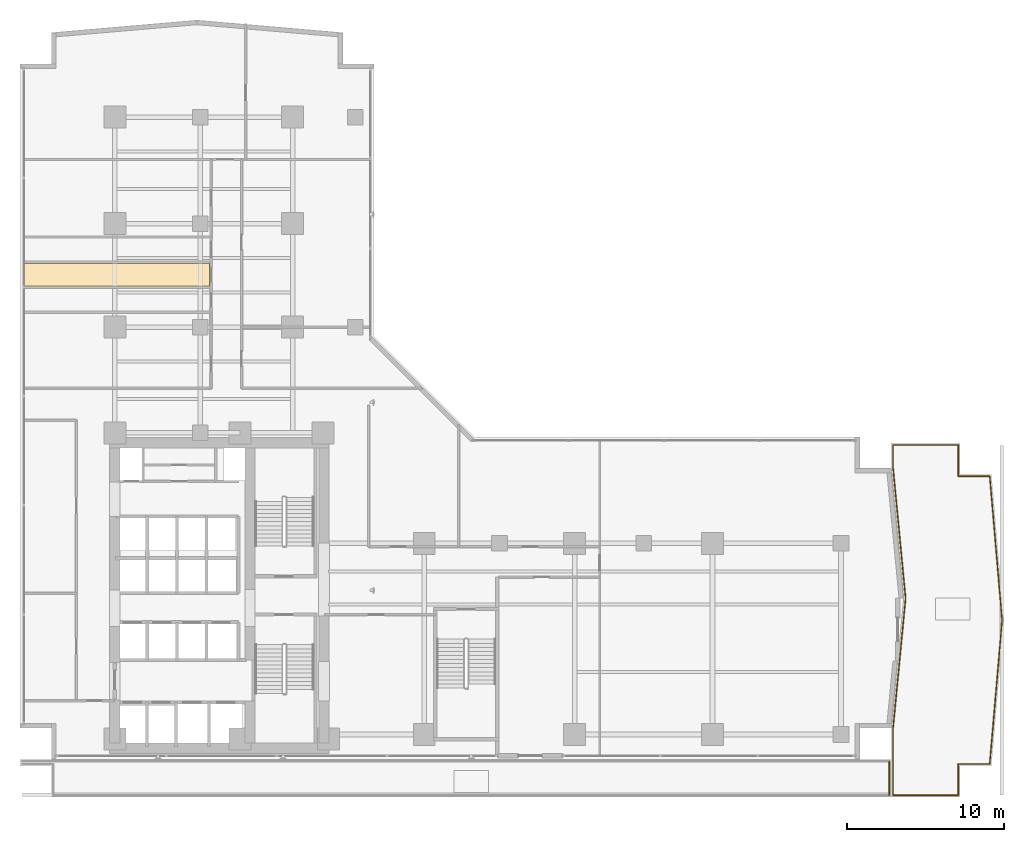
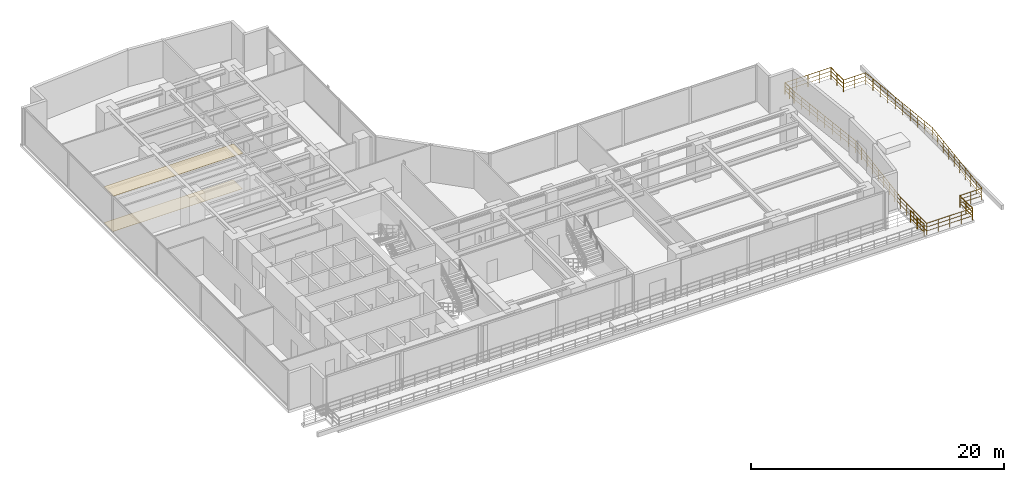
# One storey, part 25 of 26: 13 railings, 2 coverings.
"""IFC4 building model written with IfcOpenShell, lengths in metres."""

from ifc_helpers import new_model, si_unit, direction, frame, origin, origin_2d, place, context, subcontext, project, spatial, polyline, circle, outline, extrude, material, layer, layer_set, type_object, element, save


model = new_model("IFC4")

# Units and contexts
model_context = context("Model", 3, precision=1e-05, world=origin(), true_north=direction((0.0, 1.0)))
body_context = subcontext(model_context, "Body", "Model", "MODEL_VIEW")
ifc_project = project(units=[si_unit("LENGTHUNIT", "METRE"), si_unit("AREAUNIT", "SQUARE_METRE"), si_unit("VOLUMEUNIT", "CUBIC_METRE"), si_unit("PLANEANGLEUNIT", "RADIAN"), si_unit("MASSUNIT", "GRAM", prefix="KILO")], contexts=[model_context])

# Site, building, storey
site_placement = place(None, origin())
site = spatial("IfcSite", under=ifc_project, at=site_placement, CompositionType="ELEMENT")
building_placement = place(site_placement, origin())
building = spatial("IfcBuilding", under=site, at=building_placement, Name="Kolvaren Waterfront Exchange", CompositionType="ELEMENT")
storey_placement = place(building_placement, frame((0.0, 0.0, 87.89990234375)))
storey = spatial("IfcBuildingStorey", under=building, at=storey_placement, Name="L22", CompositionType="ELEMENT", Elevation=87.89990234375)

# Coverings
ifc_material_1 = material(Name="Mineral fibre acoustic ceiling tile")
ifc_layer_1 = layer(ifc_material_1, 0.02490234375, Name="Mineral fibre acoustic ceiling tile")
ifc_layer_set_1 = layer_set([ifc_layer_1], Name="Mineral fibre acoustic ceiling tile")
covering_type_1 = type_object("IfcCoveringType", Name="ARC-CEIL-ACOUSTIC-25", PredefinedType="CEILING", material=ifc_layer_set_1)
covering_1_placement = place(storey_placement, frame((0.0, 0.0, 3.425048828125)))
element("IfcCovering", 1, at=covering_1_placement, inside=storey, type_object=covering_type_1, Name="L22 acoustic suspended ceiling 3", PredefinedType="CEILING", context=body_context, shape_type="SweptSolid", body=[
    extrude(outline(polyline([(13.534912109375, 33.794921875), (13.534912109375, 35.304931640625), (1.6650390625, 35.304931640625), (1.6650390625, 33.794921875), (13.534912109375, 33.794921875)])), origin(), (0.0, 0.0, 1.0), 0.025146484375),
])
ifc_material_2 = material(Name="Slip-resistant porcelain tile")
ifc_layer_2 = layer(ifc_material_2, 0.014892578125, Name="Slip-resistant porcelain tile")
ifc_layer_set_2 = layer_set([ifc_layer_2], Name="Slip-resistant porcelain tile")
covering_type_2 = type_object("IfcCoveringType", Name="ARC-FLR-PORC-15", PredefinedType="FLOORING", material=ifc_layer_set_2)
covering_2_placement = place(storey_placement, origin())
element("IfcCovering", 2, at=covering_2_placement, inside=storey, type_object=covering_type_2, Name="L22 floor finish 3", PredefinedType="FLOORING", context=body_context, shape_type="SweptSolid", body=[
    extrude(outline(polyline([(1.699951171875, 35.27001953125), (1.699951171875, 33.830078125), (13.5, 33.830078125), (13.5, 35.27001953125), (1.699951171875, 35.27001953125)])), origin(), (0.0, 0.0, 1.0), 0.01513671875),
])

# Railings
ifc_material_3 = material(Name="Anodised bronze aluminium 6063-T6", Category="aluminium")
railing_type = type_object("IfcRailingType", Name="ARC-GUARD-EXT", PredefinedType="GUARDRAIL", material=ifc_material_3)
railing_1_placement = place(storey_placement, frame((57.110107421875, 5.490478515625, 0.0)))
element("IfcRailing", 3, at=railing_1_placement, inside=storey, type_object=railing_type, Name="L22 sky-garden perimeter balustrade 1", PredefinedType="GUARDRAIL", context=body_context, shape_type="SweptSolid", body=[
    extrude(circle(Radius=0.02392578125, at=origin_2d()), frame((0.0, 0.0, 1.1259765625), z_axis=(0.095940918586, 0.995387030326, 0.0), x_axis=(-0.995387030326, 0.095940918586, 0.0)), (0.0, 0.0, 1.0), 8.448486328125),
    extrude(circle(Radius=0.01611328125, at=origin_2d()), frame((0.0, 0.0, 0.390869140625), z_axis=(0.095940918586, 0.995387030326, 0.0), x_axis=(-0.995387030326, 0.095940918586, 0.0)), (0.0, 0.0, 1.0), 8.448486328125),
    extrude(circle(Radius=0.01611328125, at=origin_2d()), frame((0.0, 0.0, 0.7705078125), z_axis=(0.095940918586, 0.995387030326, 0.0), x_axis=(-0.995387030326, 0.095940918586, 0.0)), (0.0, 0.0, 1.0), 8.448486328125),
    extrude(circle(Radius=0.02099609375, at=origin_2d()), origin(), (0.0, 0.0, 1.0), 1.101806640625),
    extrude(circle(Radius=0.02099609375, at=origin_2d()), frame((0.101318359375, 1.05126953125, 0.0)), (0.0, 0.0, 1.0), 1.101806640625),
    extrude(circle(Radius=0.02099609375, at=origin_2d()), frame((0.20263671875, 2.102294921875, 0.0)), (0.0, 0.0, 1.0), 1.101806640625),
    extrude(circle(Radius=0.02099609375, at=origin_2d()), frame((0.303955078125, 3.153564453125, 0.0)), (0.0, 0.0, 1.0), 1.101806640625),
    extrude(circle(Radius=0.02099609375, at=origin_2d()), frame((0.4052734375, 4.20458984375, 0.0)), (0.0, 0.0, 1.0), 1.101806640625),
    extrude(circle(Radius=0.02099609375, at=origin_2d()), frame((0.506591796875, 5.255859375, 0.0)), (0.0, 0.0, 1.0), 1.101806640625),
    extrude(circle(Radius=0.02099609375, at=origin_2d()), frame((0.60791015625, 6.30712890625, 0.0)), (0.0, 0.0, 1.0), 1.101806640625),
    extrude(circle(Radius=0.02099609375, at=origin_2d()), frame((0.709228515625, 7.358154296875, 0.0)), (0.0, 0.0, 1.0), 1.101806640625),
    extrude(circle(Radius=0.02099609375, at=origin_2d()), frame((0.810546875, 8.409423828125, 0.0)), (0.0, 0.0, 1.0), 1.101806640625),
])
railing_2_placement = place(storey_placement, frame((57.920654296875, 13.89990234375, 0.0)))
element("IfcRailing", 4, at=railing_2_placement, inside=storey, type_object=railing_type, Name="L22 sky-garden perimeter balustrade 1", PredefinedType="GUARDRAIL", context=body_context, shape_type="SweptSolid", body=[
    extrude(circle(Radius=0.02392578125, at=origin_2d()), frame((0.0, 0.0, 1.1259765625), z_axis=(-0.095938158966, 0.995387296309, 0.0), x_axis=(-0.995387296309, -0.095938158966, 0.0)), (0.0, 0.0, 1.0), 8.44873046875),
    extrude(circle(Radius=0.01611328125, at=origin_2d()), frame((0.0, 0.0, 0.390869140625), z_axis=(-0.095938158966, 0.995387296309, 0.0), x_axis=(-0.995387296309, -0.095938158966, 0.0)), (0.0, 0.0, 1.0), 8.44873046875),
    extrude(circle(Radius=0.01611328125, at=origin_2d()), frame((0.0, 0.0, 0.7705078125), z_axis=(-0.095938158966, 0.995387296309, 0.0), x_axis=(-0.995387296309, -0.095938158966, 0.0)), (0.0, 0.0, 1.0), 8.44873046875),
    extrude(circle(Radius=0.02099609375, at=origin_2d()), origin(), (0.0, 0.0, 1.0), 1.101806640625),
    extrude(circle(Radius=0.02099609375, at=origin_2d()), frame((-0.101318359375, 1.05126953125, 0.0)), (0.0, 0.0, 1.0), 1.101806640625),
    extrude(circle(Radius=0.02099609375, at=origin_2d()), frame((-0.20263671875, 2.1025390625, 0.0)), (0.0, 0.0, 1.0), 1.101806640625),
    extrude(circle(Radius=0.02099609375, at=origin_2d()), frame((-0.303955078125, 3.153564453125, 0.0)), (0.0, 0.0, 1.0), 1.101806640625),
    extrude(circle(Radius=0.02099609375, at=origin_2d()), frame((-0.4052734375, 4.204833984375, 0.0)), (0.0, 0.0, 1.0), 1.101806640625),
    extrude(circle(Radius=0.02099609375, at=origin_2d()), frame((-0.506591796875, 5.256103515625, 0.0)), (0.0, 0.0, 1.0), 1.101806640625),
    extrude(circle(Radius=0.02099609375, at=origin_2d()), frame((-0.60791015625, 6.30712890625, 0.0)), (0.0, 0.0, 1.0), 1.101806640625),
    extrude(circle(Radius=0.02099609375, at=origin_2d()), frame((-0.709228515625, 7.3583984375, 0.0)), (0.0, 0.0, 1.0), 1.101806640625),
    extrude(circle(Radius=0.02099609375, at=origin_2d()), frame((-0.810546875, 8.40966796875, 0.0)), (0.0, 0.0, 1.0), 1.101806640625),
])
railing_3_placement = place(storey_placement, frame((57.110107421875, 22.3095703125, 0.0)))
element("IfcRailing", 5, at=railing_3_placement, inside=storey, type_object=railing_type, Name="L22 sky-garden perimeter balustrade 1", PredefinedType="GUARDRAIL", context=body_context, shape_type="SweptSolid", body=[
    extrude(circle(Radius=0.02392578125, at=origin_2d()), frame((0.0, 0.0, 1.1259765625), z_axis=(0.0, 1.0, 0.0), x_axis=(-1.0, 0.0, 0.0)), (0.0, 0.0, 1.0), 1.370361328125),
    extrude(circle(Radius=0.01611328125, at=origin_2d()), frame((0.0, 0.0, 0.390869140625), z_axis=(0.0, 1.0, 0.0), x_axis=(-1.0, 0.0, 0.0)), (0.0, 0.0, 1.0), 1.370361328125),
    extrude(circle(Radius=0.01611328125, at=origin_2d()), frame((0.0, 0.0, 0.7705078125), z_axis=(0.0, 1.0, 0.0), x_axis=(-1.0, 0.0, 0.0)), (0.0, 0.0, 1.0), 1.370361328125),
    extrude(circle(Radius=0.02099609375, at=origin_2d()), origin(), (0.0, 0.0, 1.0), 1.101806640625),
    extrude(circle(Radius=0.02099609375, at=origin_2d()), frame((0.0, 0.68505859375, 0.0)), (0.0, 0.0, 1.0), 1.101806640625),
    extrude(circle(Radius=0.02099609375, at=origin_2d()), frame((0.0, 1.370361328125, 0.0)), (0.0, 0.0, 1.0), 1.101806640625),
])
railing_4_placement = place(storey_placement, frame((57.110107421875, 23.679931640625, 0.0)))
element("IfcRailing", 6, at=railing_4_placement, inside=storey, type_object=railing_type, Name="L22 sky-garden perimeter balustrade 1", PredefinedType="GUARDRAIL", context=body_context, shape_type="SweptSolid", body=[
    extrude(circle(Radius=0.02392578125, at=origin_2d()), frame((0.0, 0.0, 1.1259765625), z_axis=(1.0, 0.0, 0.0), x_axis=(0.0, 1.0, 0.0)), (0.0, 0.0, 1.0), 4.169921875),
    extrude(circle(Radius=0.01611328125, at=origin_2d()), frame((0.0, 0.0, 0.390869140625), z_axis=(1.0, 0.0, 0.0), x_axis=(0.0, 1.0, 0.0)), (0.0, 0.0, 1.0), 4.169921875),
    extrude(circle(Radius=0.01611328125, at=origin_2d()), frame((0.0, 0.0, 0.7705078125), z_axis=(1.0, 0.0, 0.0), x_axis=(0.0, 1.0, 0.0)), (0.0, 0.0, 1.0), 4.169921875),
    extrude(circle(Radius=0.02099609375, at=origin_2d()), origin(), (0.0, 0.0, 1.0), 1.101806640625),
    extrude(circle(Radius=0.02099609375, at=origin_2d()), frame((1.04248046875, 0.0, 0.0)), (0.0, 0.0, 1.0), 1.101806640625),
    extrude(circle(Radius=0.02099609375, at=origin_2d()), frame((2.0849609375, 0.0, 0.0)), (0.0, 0.0, 1.0), 1.101806640625),
    extrude(circle(Radius=0.02099609375, at=origin_2d()), frame((3.12744140625, 0.0, 0.0)), (0.0, 0.0, 1.0), 1.101806640625),
    extrude(circle(Radius=0.02099609375, at=origin_2d()), frame((4.169921875, 0.0, 0.0)), (0.0, 0.0, 1.0), 1.101806640625),
])
railing_5_placement = place(storey_placement, frame((61.280029296875, 23.679931640625, 0.0)))
element("IfcRailing", 7, at=railing_5_placement, inside=storey, type_object=railing_type, Name="L22 sky-garden perimeter balustrade 1", PredefinedType="GUARDRAIL", context=body_context, shape_type="SweptSolid", body=[
    extrude(circle(Radius=0.02392578125, at=origin_2d()), frame((0.0, 0.0, 1.1259765625), z_axis=(0.0, -1.0, 0.0), x_axis=(1.0, 0.0, 0.0)), (0.0, 0.0, 1.0), 2.0),
    extrude(circle(Radius=0.01611328125, at=origin_2d()), frame((0.0, 0.0, 0.390869140625), z_axis=(0.0, -1.0, 0.0), x_axis=(1.0, 0.0, 0.0)), (0.0, 0.0, 1.0), 2.0),
    extrude(circle(Radius=0.01611328125, at=origin_2d()), frame((0.0, 0.0, 0.7705078125), z_axis=(0.0, -1.0, 0.0), x_axis=(1.0, 0.0, 0.0)), (0.0, 0.0, 1.0), 2.0),
    extrude(circle(Radius=0.02099609375, at=origin_2d()), origin(), (0.0, 0.0, 1.0), 1.101806640625),
    extrude(circle(Radius=0.02099609375, at=origin_2d()), frame((0.0, -1.0, 0.0)), (0.0, 0.0, 1.0), 1.101806640625),
    extrude(circle(Radius=0.02099609375, at=origin_2d()), frame((0.0, -2.0, 0.0)), (0.0, 0.0, 1.0), 1.101806640625),
])
railing_6_placement = place(storey_placement, frame((61.280029296875, 21.679931640625, 0.0)))
element("IfcRailing", 8, at=railing_6_placement, inside=storey, type_object=railing_type, Name="L22 sky-garden perimeter balustrade 1", PredefinedType="GUARDRAIL", context=body_context, shape_type="SweptSolid", body=[
    extrude(circle(Radius=0.02392578125, at=origin_2d()), frame((0.0, 0.0, 1.1259765625), z_axis=(1.0, 0.0, 0.0), x_axis=(0.0, 1.0, 0.0)), (0.0, 0.0, 1.0), 2.009765625),
    extrude(circle(Radius=0.01611328125, at=origin_2d()), frame((0.0, 0.0, 0.390869140625), z_axis=(1.0, 0.0, 0.0), x_axis=(0.0, 1.0, 0.0)), (0.0, 0.0, 1.0), 2.009765625),
    extrude(circle(Radius=0.01611328125, at=origin_2d()), frame((0.0, 0.0, 0.7705078125), z_axis=(1.0, 0.0, 0.0), x_axis=(0.0, 1.0, 0.0)), (0.0, 0.0, 1.0), 2.009765625),
    extrude(circle(Radius=0.02099609375, at=origin_2d()), origin(), (0.0, 0.0, 1.0), 1.101806640625),
    extrude(circle(Radius=0.02099609375, at=origin_2d()), frame((1.0048828125, 0.0, 0.0)), (0.0, 0.0, 1.0), 1.101806640625),
    extrude(circle(Radius=0.02099609375, at=origin_2d()), frame((2.009765625, 0.0, 0.0)), (0.0, 0.0, 1.0), 1.101806640625),
])
railing_7_placement = place(storey_placement, frame((63.289794921875, 21.679931640625, 0.0)))
element("IfcRailing", 9, at=railing_7_placement, inside=storey, type_object=railing_type, Name="L22 sky-garden perimeter balustrade 1", PredefinedType="GUARDRAIL", context=body_context, shape_type="SweptSolid", body=[
    extrude(circle(Radius=0.02392578125, at=origin_2d()), frame((0.0, 0.0, 1.1259765625), z_axis=(0.085718286887, -0.996319414291, 0.0), x_axis=(0.996319414291, 0.085718286887, 0.0)), (0.0, 0.0, 1.0), 9.2138671875),
    extrude(circle(Radius=0.01611328125, at=origin_2d()), frame((0.0, 0.0, 0.390869140625), z_axis=(0.085718286887, -0.996319414291, 0.0), x_axis=(0.996319414291, 0.085718286887, 0.0)), (0.0, 0.0, 1.0), 9.2138671875),
    extrude(circle(Radius=0.01611328125, at=origin_2d()), frame((0.0, 0.0, 0.7705078125), z_axis=(0.085718286887, -0.996319414291, 0.0), x_axis=(0.996319414291, 0.085718286887, 0.0)), (0.0, 0.0, 1.0), 9.2138671875),
    extrude(circle(Radius=0.02099609375, at=origin_2d()), origin(), (0.0, 0.0, 1.0), 1.101806640625),
    extrude(circle(Radius=0.02099609375, at=origin_2d()), frame((0.087646484375, -1.02001953125, 0.0)), (0.0, 0.0, 1.0), 1.101806640625),
    extrude(circle(Radius=0.02099609375, at=origin_2d()), frame((0.175537109375, -2.0400390625, 0.0)), (0.0, 0.0, 1.0), 1.101806640625),
    extrude(circle(Radius=0.02099609375, at=origin_2d()), frame((0.26318359375, -3.06005859375, 0.0)), (0.0, 0.0, 1.0), 1.101806640625),
    extrude(circle(Radius=0.02099609375, at=origin_2d()), frame((0.35107421875, -4.080078125, 0.0)), (0.0, 0.0, 1.0), 1.101806640625),
    extrude(circle(Radius=0.02099609375, at=origin_2d()), frame((0.438720703125, -5.099853515625, 0.0)), (0.0, 0.0, 1.0), 1.101806640625),
    extrude(circle(Radius=0.02099609375, at=origin_2d()), frame((0.526611328125, -6.119873046875, 0.0)), (0.0, 0.0, 1.0), 1.101806640625),
    extrude(circle(Radius=0.02099609375, at=origin_2d()), frame((0.6142578125, -7.139892578125, 0.0)), (0.0, 0.0, 1.0), 1.101806640625),
    extrude(circle(Radius=0.02099609375, at=origin_2d()), frame((0.7021484375, -8.159912109375, 0.0)), (0.0, 0.0, 1.0), 1.101806640625),
    extrude(circle(Radius=0.02099609375, at=origin_2d()), frame((0.789794921875, -9.179931640625, 0.0)), (0.0, 0.0, 1.0), 1.101806640625),
])
railing_8_placement = place(storey_placement, frame((64.07958984375, 12.5, 0.0)))
element("IfcRailing", 10, at=railing_8_placement, inside=storey, type_object=railing_type, Name="L22 sky-garden perimeter balustrade 1", PredefinedType="GUARDRAIL", context=body_context, shape_type="SweptSolid", body=[
    extrude(circle(Radius=0.02392578125, at=origin_2d()), frame((0.0, 0.0, 1.1259765625), z_axis=(-0.085718286887, -0.996319414291, 0.0), x_axis=(0.996319414291, -0.085718286887, 0.0)), (0.0, 0.0, 1.0), 9.2138671875),
    extrude(circle(Radius=0.01611328125, at=origin_2d()), frame((0.0, 0.0, 0.390869140625), z_axis=(-0.085718286887, -0.996319414291, 0.0), x_axis=(0.996319414291, -0.085718286887, 0.0)), (0.0, 0.0, 1.0), 9.2138671875),
    extrude(circle(Radius=0.01611328125, at=origin_2d()), frame((0.0, 0.0, 0.7705078125), z_axis=(-0.085718286887, -0.996319414291, 0.0), x_axis=(0.996319414291, -0.085718286887, 0.0)), (0.0, 0.0, 1.0), 9.2138671875),
    extrude(circle(Radius=0.02099609375, at=origin_2d()), origin(), (0.0, 0.0, 1.0), 1.101806640625),
    extrude(circle(Radius=0.02099609375, at=origin_2d()), frame((-0.087646484375, -1.02001953125, 0.0)), (0.0, 0.0, 1.0), 1.101806640625),
    extrude(circle(Radius=0.02099609375, at=origin_2d()), frame((-0.175537109375, -2.0400390625, 0.0)), (0.0, 0.0, 1.0), 1.101806640625),
    extrude(circle(Radius=0.02099609375, at=origin_2d()), frame((-0.26318359375, -3.06005859375, 0.0)), (0.0, 0.0, 1.0), 1.101806640625),
    extrude(circle(Radius=0.02099609375, at=origin_2d()), frame((-0.35107421875, -4.080078125, 0.0)), (0.0, 0.0, 1.0), 1.101806640625),
    extrude(circle(Radius=0.02099609375, at=origin_2d()), frame((-0.438720703125, -5.099853515625, 0.0)), (0.0, 0.0, 1.0), 1.101806640625),
    extrude(circle(Radius=0.02099609375, at=origin_2d()), frame((-0.526611328125, -6.119873046875, 0.0)), (0.0, 0.0, 1.0), 1.101806640625),
    extrude(circle(Radius=0.02099609375, at=origin_2d()), frame((-0.6142578125, -7.139892578125, 0.0)), (0.0, 0.0, 1.0), 1.101806640625),
    extrude(circle(Radius=0.02099609375, at=origin_2d()), frame((-0.7021484375, -8.159912109375, 0.0)), (0.0, 0.0, 1.0), 1.101806640625),
    extrude(circle(Radius=0.02099609375, at=origin_2d()), frame((-0.789794921875, -9.179931640625, 0.0)), (0.0, 0.0, 1.0), 1.101806640625),
])
railing_9_placement = place(storey_placement, frame((63.289794921875, 3.320068359375, 0.0)))
element("IfcRailing", 11, at=railing_9_placement, inside=storey, type_object=railing_type, Name="L22 sky-garden perimeter balustrade 1", PredefinedType="GUARDRAIL", context=body_context, shape_type="SweptSolid", body=[
    extrude(circle(Radius=0.02392578125, at=origin_2d()), frame((0.0, 0.0, 1.1259765625), z_axis=(-1.0, 0.0, 0.0), x_axis=(0.0, -1.0, 0.0)), (0.0, 0.0, 1.0), 2.009765625),
    extrude(circle(Radius=0.01611328125, at=origin_2d()), frame((0.0, 0.0, 0.390869140625), z_axis=(-1.0, 0.0, 0.0), x_axis=(0.0, -1.0, 0.0)), (0.0, 0.0, 1.0), 2.009765625),
    extrude(circle(Radius=0.01611328125, at=origin_2d()), frame((0.0, 0.0, 0.7705078125), z_axis=(-1.0, 0.0, 0.0), x_axis=(0.0, -1.0, 0.0)), (0.0, 0.0, 1.0), 2.009765625),
    extrude(circle(Radius=0.02099609375, at=origin_2d()), origin(), (0.0, 0.0, 1.0), 1.101806640625),
    extrude(circle(Radius=0.02099609375, at=origin_2d()), frame((-1.0048828125, 0.0, 0.0)), (0.0, 0.0, 1.0), 1.101806640625),
    extrude(circle(Radius=0.02099609375, at=origin_2d()), frame((-2.009765625, 0.0, 0.0)), (0.0, 0.0, 1.0), 1.101806640625),
])
railing_10_placement = place(storey_placement, frame((61.280029296875, 3.320068359375, 0.0)))
element("IfcRailing", 12, at=railing_10_placement, inside=storey, type_object=railing_type, Name="L22 sky-garden perimeter balustrade 1", PredefinedType="GUARDRAIL", context=body_context, shape_type="SweptSolid", body=[
    extrude(circle(Radius=0.02392578125, at=origin_2d()), frame((0.0, 0.0, 1.1259765625), z_axis=(0.0, -1.0, 0.0), x_axis=(1.0, 0.0, 0.0)), (0.0, 0.0, 1.0), 2.0),
    extrude(circle(Radius=0.01611328125, at=origin_2d()), frame((0.0, 0.0, 0.390869140625), z_axis=(0.0, -1.0, 0.0), x_axis=(1.0, 0.0, 0.0)), (0.0, 0.0, 1.0), 2.0),
    extrude(circle(Radius=0.01611328125, at=origin_2d()), frame((0.0, 0.0, 0.7705078125), z_axis=(0.0, -1.0, 0.0), x_axis=(1.0, 0.0, 0.0)), (0.0, 0.0, 1.0), 2.0),
    extrude(circle(Radius=0.02099609375, at=origin_2d()), origin(), (0.0, 0.0, 1.0), 1.101806640625),
    extrude(circle(Radius=0.02099609375, at=origin_2d()), frame((0.0, -1.0, 0.0)), (0.0, 0.0, 1.0), 1.101806640625),
    extrude(circle(Radius=0.02099609375, at=origin_2d()), frame((0.0, -2.0, 0.0)), (0.0, 0.0, 1.0), 1.101806640625),
])
railing_11_placement = place(storey_placement, frame((61.280029296875, 1.320068359375, 0.0)))
element("IfcRailing", 13, at=railing_11_placement, inside=storey, type_object=railing_type, Name="L22 sky-garden perimeter balustrade 1", PredefinedType="GUARDRAIL", context=body_context, shape_type="SweptSolid", body=[
    extrude(circle(Radius=0.02392578125, at=origin_2d()), frame((0.0, 0.0, 1.1259765625), z_axis=(-1.0, 0.0, 0.0), x_axis=(0.0, -1.0, 0.0)), (0.0, 0.0, 1.0), 4.169921875),
    extrude(circle(Radius=0.01611328125, at=origin_2d()), frame((0.0, 0.0, 0.390869140625), z_axis=(-1.0, 0.0, 0.0), x_axis=(0.0, -1.0, 0.0)), (0.0, 0.0, 1.0), 4.169921875),
    extrude(circle(Radius=0.01611328125, at=origin_2d()), frame((0.0, 0.0, 0.7705078125), z_axis=(-1.0, 0.0, 0.0), x_axis=(0.0, -1.0, 0.0)), (0.0, 0.0, 1.0), 4.169921875),
    extrude(circle(Radius=0.02099609375, at=origin_2d()), origin(), (0.0, 0.0, 1.0), 1.101806640625),
    extrude(circle(Radius=0.02099609375, at=origin_2d()), frame((-1.04248046875, 0.0, 0.0)), (0.0, 0.0, 1.0), 1.101806640625),
    extrude(circle(Radius=0.02099609375, at=origin_2d()), frame((-2.0849609375, 0.0, 0.0)), (0.0, 0.0, 1.0), 1.101806640625),
    extrude(circle(Radius=0.02099609375, at=origin_2d()), frame((-3.12744140625, 0.0, 0.0)), (0.0, 0.0, 1.0), 1.101806640625),
    extrude(circle(Radius=0.02099609375, at=origin_2d()), frame((-4.169921875, 0.0, 0.0)), (0.0, 0.0, 1.0), 1.101806640625),
])
railing_12_placement = place(storey_placement, frame((57.110107421875, 1.320068359375, 0.0)))
element("IfcRailing", 14, at=railing_12_placement, inside=storey, type_object=railing_type, Name="L22 sky-garden perimeter balustrade 1", PredefinedType="GUARDRAIL", context=body_context, shape_type="SweptSolid", body=[
    extrude(circle(Radius=0.02392578125, at=origin_2d()), frame((0.0, 0.0, 1.1259765625), z_axis=(0.0, 1.0, 0.0), x_axis=(-1.0, 0.0, 0.0)), (0.0, 0.0, 1.0), 4.17041015625),
    extrude(circle(Radius=0.01611328125, at=origin_2d()), frame((0.0, 0.0, 0.390869140625), z_axis=(0.0, 1.0, 0.0), x_axis=(-1.0, 0.0, 0.0)), (0.0, 0.0, 1.0), 4.17041015625),
    extrude(circle(Radius=0.01611328125, at=origin_2d()), frame((0.0, 0.0, 0.7705078125), z_axis=(0.0, 1.0, 0.0), x_axis=(-1.0, 0.0, 0.0)), (0.0, 0.0, 1.0), 4.17041015625),
    extrude(circle(Radius=0.02099609375, at=origin_2d()), origin(), (0.0, 0.0, 1.0), 1.101806640625),
    extrude(circle(Radius=0.02099609375, at=origin_2d()), frame((0.0, 1.04248046875, 0.0)), (0.0, 0.0, 1.0), 1.101806640625),
    extrude(circle(Radius=0.02099609375, at=origin_2d()), frame((0.0, 2.085205078125, 0.0)), (0.0, 0.0, 1.0), 1.101806640625),
    extrude(circle(Radius=0.02099609375, at=origin_2d()), frame((0.0, 3.1279296875, 0.0)), (0.0, 0.0, 1.0), 1.101806640625),
    extrude(circle(Radius=0.02099609375, at=origin_2d()), frame((0.0, 4.17041015625, 0.0)), (0.0, 0.0, 1.0), 1.101806640625),
])
railing_13_placement = place(storey_placement, frame((56.8701171875, 3.489990234375, 0.0)))
element("IfcRailing", 15, at=railing_13_placement, inside=storey, type_object=railing_type, Name="L22 sky-garden perimeter balustrade 2", PredefinedType="GUARDRAIL", context=body_context, shape_type="SweptSolid", body=[
    extrude(circle(Radius=0.02392578125, at=origin_2d()), frame((0.0, 0.0, 1.1259765625), z_axis=(0.0, -1.0, 0.0), x_axis=(1.0, 0.0, 0.0)), (0.0, 0.0, 1.0), 2.169921875),
    extrude(circle(Radius=0.01611328125, at=origin_2d()), frame((0.0, 0.0, 0.390869140625), z_axis=(0.0, -1.0, 0.0), x_axis=(1.0, 0.0, 0.0)), (0.0, 0.0, 1.0), 2.169921875),
    extrude(circle(Radius=0.01611328125, at=origin_2d()), frame((0.0, 0.0, 0.7705078125), z_axis=(0.0, -1.0, 0.0), x_axis=(1.0, 0.0, 0.0)), (0.0, 0.0, 1.0), 2.169921875),
    extrude(circle(Radius=0.02099609375, at=origin_2d()), origin(), (0.0, 0.0, 1.0), 1.101806640625),
    extrude(circle(Radius=0.02099609375, at=origin_2d()), frame((0.0, -1.0849609375, 0.0)), (0.0, 0.0, 1.0), 1.101806640625),
    extrude(circle(Radius=0.02099609375, at=origin_2d()), frame((0.0, -2.169921875, 0.0)), (0.0, 0.0, 1.0), 1.101806640625),
])

save(model, "model.ifc")
